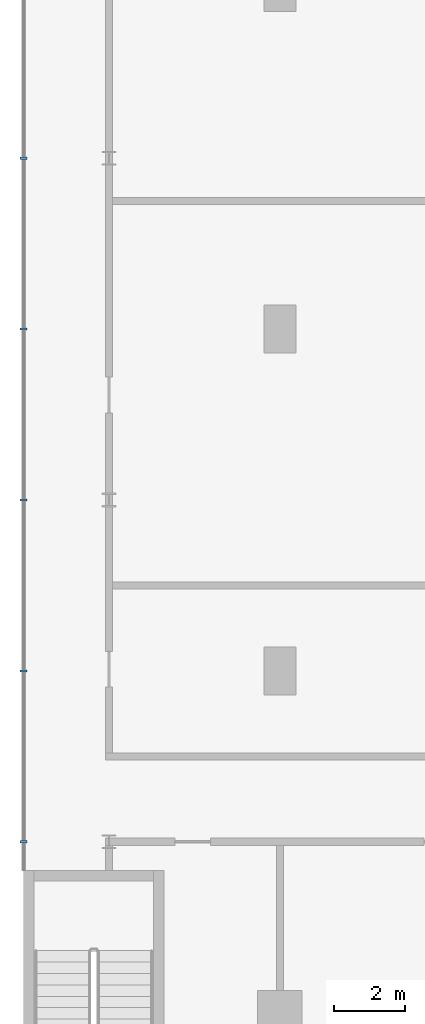
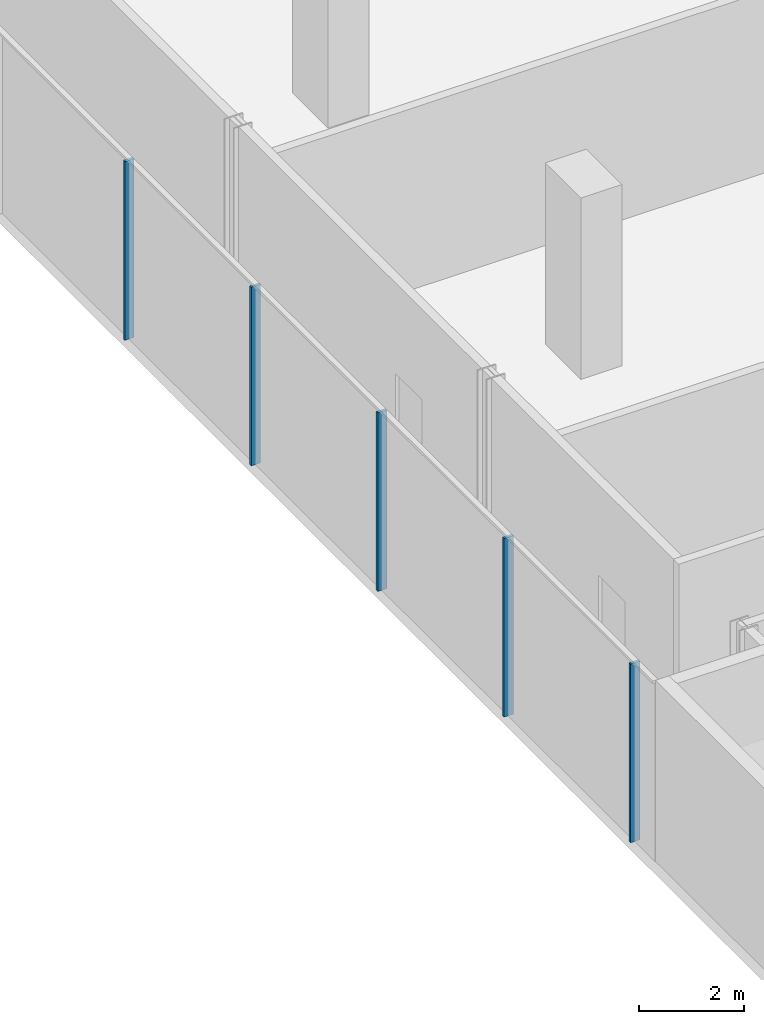
# One storey, part 10 of 38: 5 members, 1 element without a shape of its own.
"""IFC4 building model written with IfcOpenShell, lengths in metres."""

from ifc_helpers import new_model, si_unit, direction, frame, origin, origin_2d, place, context, subcontext, project, spatial, rectangle, extrude, material, layer, layer_set, material_profile, profile_set, type_object, element, aggregate, save


model = new_model("IFC4")

# Units and contexts
model_context = context("Model", 3, precision=1e-05, world=origin(), true_north=direction((0.0, 1.0)))
body_context = subcontext(model_context, "Body", "Model", "MODEL_VIEW")
ifc_project = project(units=[si_unit("LENGTHUNIT", "METRE"), si_unit("AREAUNIT", "SQUARE_METRE"), si_unit("VOLUMEUNIT", "CUBIC_METRE"), si_unit("PLANEANGLEUNIT", "RADIAN"), si_unit("MASSUNIT", "GRAM", prefix="KILO")], contexts=[model_context])

# Site, building, storey
site_placement = place(None, origin())
site = spatial("IfcSite", under=ifc_project, at=site_placement, CompositionType="ELEMENT")
building_placement = place(site_placement, origin())
building = spatial("IfcBuilding", under=site, at=building_placement, Name="Madar Terraces", CompositionType="ELEMENT")
storey_placement = place(building_placement, frame((0.0, 0.0, 15.0)))
storey = spatial("IfcBuildingStorey", under=building, at=storey_placement, Name="L03", CompositionType="ELEMENT", Elevation=15.0)

# Curtain wall, members
ifc_material_1 = material(Name="Glass, clear low-iron, with black aluminium frame", Category="aluminium")
ifc_layer = layer(ifc_material_1, 0.199951171875)
ifc_layer_set = layer_set([ifc_layer], Name="Facade curtain wall, shopfront glazing")
curtain_wall_type = type_object("IfcCurtainWallType", Name="Facade curtain wall, shopfront glazing", PredefinedType="NOTDEFINED", material=ifc_layer_set)
curtain_wall_placement = place(storey_placement, origin())
curtain_wall = element("IfcCurtainWall", 1, at=curtain_wall_placement, inside=storey, type_object=curtain_wall_type, Name="Outer skin curtain wall west bay 1", PredefinedType="NOTDEFINED")
ifc_material_2 = material(Name="Aluminium, black anodised", Category="aluminium")
ifc_material_profile = material_profile(ifc_material_2, rectangle(XDim=0.199951171875, YDim=0.06005859375, at=origin_2d()), Name="Facade mullion 60x200")
ifc_profile_set = profile_set([ifc_material_profile], Name="Aluminium, black anodised")
member_type = type_object("IfcMemberType", Name="Facade mullion 60x200", PredefinedType="MULLION", material=ifc_profile_set)
member_1_placement = place(storey_placement, frame((-7.199951171875, 28.800048828125, 0.0), z_axis=(0.0, 0.0, 1.0), x_axis=(1.0, 0.0, 0.0)))
member_1 = element("IfcMember", 2, at=member_1_placement, type_object=member_type, Name="Mullion 5", PredefinedType="MULLION", context=body_context, shape_type="SweptSolid", body=[
    extrude(rectangle(XDim=0.199951171875, YDim=0.06005859375, at=origin_2d()), origin(), (0.0, 0.0, 1.0), 4.139892578125),
])
member_2_placement = place(storey_placement, frame((-7.199951171875, 24.0, 0.0), z_axis=(0.0, 0.0, 1.0), x_axis=(1.0, 0.0, 0.0)))
member_2 = element("IfcMember", 3, at=member_2_placement, type_object=member_type, Name="Mullion 6", PredefinedType="MULLION", context=body_context, shape_type="SweptSolid", body=[
    extrude(rectangle(XDim=0.199951171875, YDim=0.06005859375, at=origin_2d()), origin(), (0.0, 0.0, 1.0), 4.139892578125),
])
member_3_placement = place(storey_placement, frame((-7.199951171875, 19.199951171875, 0.0), z_axis=(0.0, 0.0, 1.0), x_axis=(1.0, 0.0, 0.0)))
member_3 = element("IfcMember", 4, at=member_3_placement, type_object=member_type, Name="Mullion 7", PredefinedType="MULLION", context=body_context, shape_type="SweptSolid", body=[
    extrude(rectangle(XDim=0.199951171875, YDim=0.06005859375, at=origin_2d()), origin(), (0.0, 0.0, 1.0), 4.139892578125),
])
member_4_placement = place(storey_placement, frame((-7.199951171875, 14.39990234375, 0.0), z_axis=(0.0, 0.0, 1.0), x_axis=(1.0, 0.0, 0.0)))
member_4 = element("IfcMember", 5, at=member_4_placement, type_object=member_type, Name="Mullion 8", PredefinedType="MULLION", context=body_context, shape_type="SweptSolid", body=[
    extrude(rectangle(XDim=0.199951171875, YDim=0.06005859375, at=origin_2d()), origin(), (0.0, 0.0, 1.0), 4.139892578125),
])
member_5_placement = place(storey_placement, frame((-7.199951171875, 9.60009765625, 0.0), z_axis=(0.0, 0.0, 1.0), x_axis=(1.0, 0.0, 0.0)))
member_5 = element("IfcMember", 6, at=member_5_placement, type_object=member_type, Name="Mullion 9", PredefinedType="MULLION", context=body_context, shape_type="SweptSolid", body=[
    extrude(rectangle(XDim=0.199951171875, YDim=0.06005859375, at=origin_2d()), origin(), (0.0, 0.0, 1.0), 4.139892578125),
])
aggregate(curtain_wall, [member_1, member_2, member_3, member_4, member_5])

save(model, "model.ifc")
